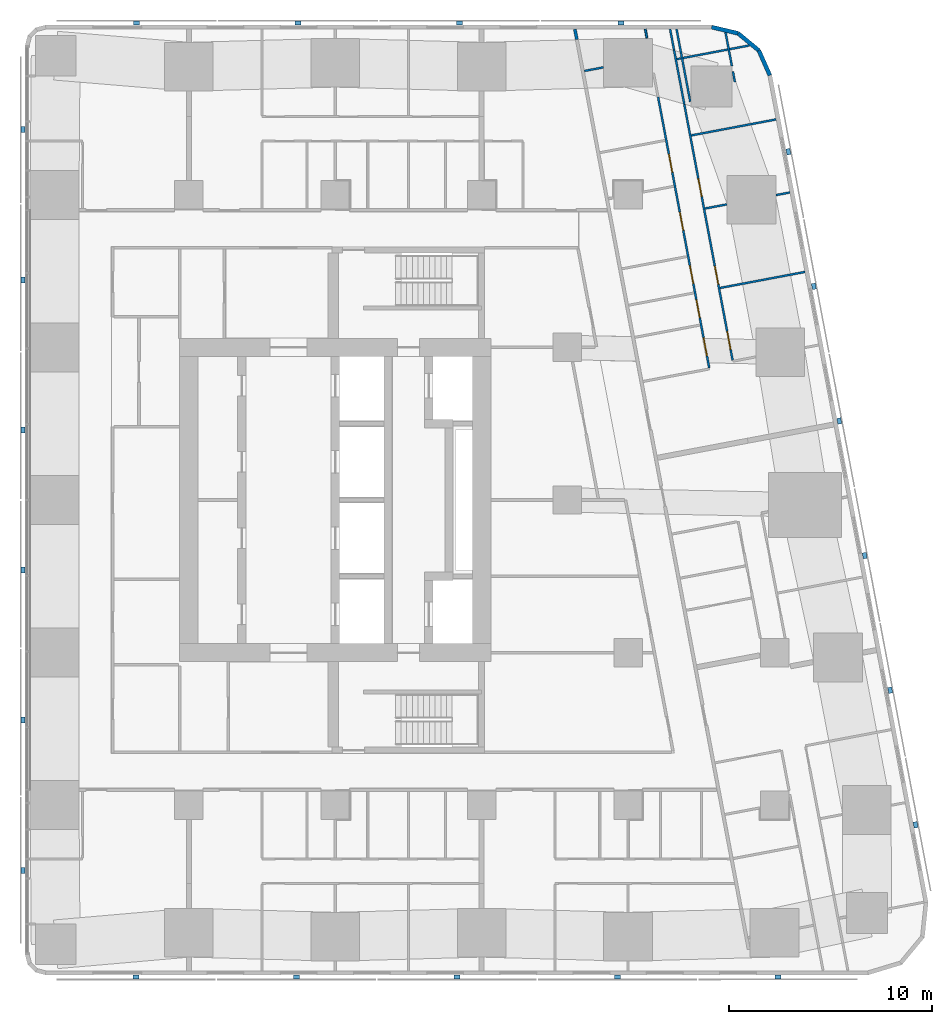
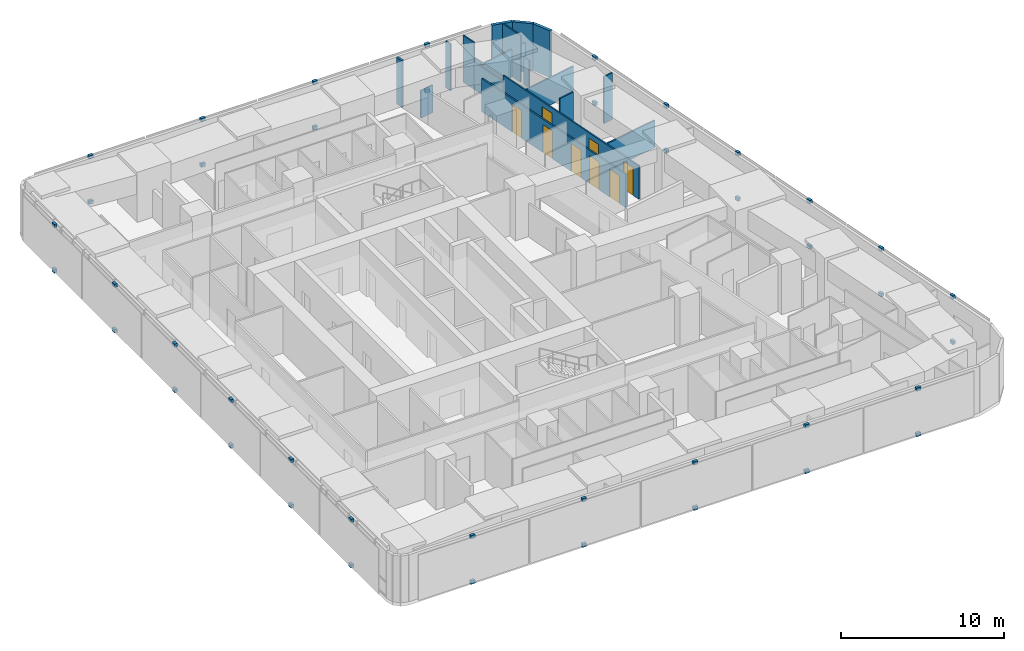
# One storey, part 17 of 19: 42 discrete accessories, 18 walls, 8 doors, 8 openings.
"""IFC4 building model written with IfcOpenShell, lengths in metres."""

from ifc_helpers import new_model, si_unit, direction, frame, frame_2d, origin, origin_2d, place, context, subcontext, project, spatial, rectangle, extrude, material, layer, layer_set, type_object, element, fill, save


model = new_model("IFC4")

# Units and contexts
model_context = context("Model", 3, precision=1e-05, world=origin(), true_north=direction((0.0, 1.0)))
body_context = subcontext(model_context, "Body", "Model", "MODEL_VIEW")
ifc_project = project(units=[si_unit("LENGTHUNIT", "METRE"), si_unit("AREAUNIT", "SQUARE_METRE"), si_unit("VOLUMEUNIT", "CUBIC_METRE"), si_unit("PLANEANGLEUNIT", "RADIAN"), si_unit("MASSUNIT", "GRAM", prefix="KILO")], contexts=[model_context])

# Site, building, storey
site_placement = place(None, origin())
site = spatial("IfcSite", under=ifc_project, at=site_placement, CompositionType="ELEMENT")
building_placement = place(site_placement, origin())
building = spatial("IfcBuilding", under=site, at=building_placement, Name="Sheger Commons Tower", CompositionType="ELEMENT")
storey_placement = place(building_placement, frame((0.0, 0.0, 201.199951171875)))
storey = spatial("IfcBuildingStorey", under=building, at=storey_placement, Name="L51", CompositionType="ELEMENT", Elevation=201.199951171875)

# Walls
ifc_material_1 = material(Name="Hollow concrete block masonry, skimmed both sides", Category="masonry")
ifc_layer_1 = layer(ifc_material_1, 0.14990234375)
ifc_layer_set_1 = layer_set([ifc_layer_1], Name="CORRIDOR WALL 150")
wall_type_1 = type_object("IfcWallType", Name="CORRIDOR WALL 150", PredefinedType="SOLIDWALL", material=ifc_layer_set_1)
wall_1_placement = place(storey_placement, frame((33.382080078125, 45.64990234375, 0.0), z_axis=(0.0, 0.0, 1.0), x_axis=(0.185657456326, -0.982614527122, 0.0)))
element("IfcWall", 1, at=wall_1_placement, inside=storey, type_object=wall_type_1, Name="Corridor wall L51", PredefinedType="SOLIDWALL", context=body_context, shape_type="SweptSolid", body=[
    extrude(rectangle(XDim=0.516845703125, YDim=0.14990234375, at=frame_2d((0.25830078125, 0.0))), origin(), (0.0, 0.0, 1.0), 3.5),
])
ifc_material_2 = material(Name="Rendered concrete block masonry, dark grey", Category="masonry")
ifc_layer_2 = layer(ifc_material_2, 0.199951171875)
ifc_layer_set_2 = layer_set([ifc_layer_2], Name="FACADE WALL 200")
wall_type_2 = type_object("IfcWallType", Name="FACADE WALL 200", PredefinedType="SOLIDWALL", material=ifc_layer_set_2)
wall_2_placement = place(storey_placement, frame((42.969970703125, 43.376953125, 0.0), z_axis=(0.0, 0.0, 1.0), x_axis=(-0.406002956633, 0.913871762998, 0.0)))
element("IfcWall", 2, at=wall_2_placement, inside=storey, type_object=wall_type_2, Name="Facade wall L51", PredefinedType="SOLIDWALL", context=body_context, shape_type="SweptSolid", body=[
    extrude(rectangle(XDim=1.33740234375, YDim=0.199951171875, at=frame_2d((0.668701171875, 0.0))), origin(), (0.0, 0.0, 1.0), 3.5),
])
wall_3_placement = place(storey_placement, frame((42.427001953125, 44.59912109375, 0.0), z_axis=(0.0, 0.0, 1.0), x_axis=(-0.770091412544, 0.637933551655, 0.0)))
element("IfcWall", 3, at=wall_3_placement, inside=storey, type_object=wall_type_2, Name="Facade wall L51", PredefinedType="SOLIDWALL", context=body_context, shape_type="SweptSolid", body=[
    extrude(rectangle(XDim=1.324462890625, YDim=0.199951171875, at=frame_2d((0.662109375, 0.0))), origin(), (0.0, 0.0, 1.0), 3.5),
])
wall_4_placement = place(storey_placement, frame((41.406982421875, 45.444091796875, 0.0), z_axis=(0.0, 0.0, 1.0), x_axis=(-0.973453091607, 0.228886606077, 0.0)))
element("IfcWall", 4, at=wall_4_placement, inside=storey, type_object=wall_type_2, Name="Facade wall L51", PredefinedType="SOLIDWALL", context=body_context, shape_type="SweptSolid", body=[
    extrude(rectangle(XDim=1.33642578125, YDim=0.199951171875, at=frame_2d((0.668212890625, 0.0))), origin(), (0.0, 0.0, 1.0), 3.5),
])
ifc_material_3 = material(Name="Gypsum board on steel studs", Category="steel")
ifc_layer_3 = layer(ifc_material_3, 0.10009765625)
ifc_layer_set_3 = layer_set([ifc_layer_3], Name="PARTITION 100")
wall_type_3 = type_object("IfcWallType", Name="PARTITION 100", PredefinedType="PARTITIONING", material=ifc_layer_set_3)
wall_5_placement = place(storey_placement, frame((39.053955078125, 42.0849609375, 0.0), z_axis=(0.0, 0.0, 1.0), x_axis=(-0.185791584218, 0.982589175207, 0.0)))
element("IfcWall", 5, at=wall_5_placement, inside=storey, type_object=wall_type_3, Name="Partition L51", PredefinedType="PARTITIONING", context=body_context, shape_type="SweptSolid", body=[
    extrude(rectangle(XDim=3.628173828125, YDim=0.10009765625, at=frame_2d((1.81396484375, 0.0))), origin(), (0.0, 0.0, 1.0), 2.050048828125),
])
wall_6_placement = place(storey_placement, frame((40.7890625, 45.487060546875, 0.0), z_axis=(0.0, 0.0, 1.0), x_axis=(0.185572395193, -0.982630594955, 0.0)))
element("IfcWall", 6, at=wall_6_placement, inside=storey, type_object=wall_type_3, Name="Partition L51", PredefinedType="PARTITIONING", context=body_context, shape_type="SweptSolid", body=[
    extrude(rectangle(XDim=1.676025390625, YDim=0.10009765625, at=frame_2d((0.837890625, 0.0))), origin(), (0.0, 0.0, 1.0), 3.5),
])
wall_7_placement = place(storey_placement, frame((41.15087890625, 43.569091796875, 0.0), z_axis=(0.0, 0.0, 1.0), x_axis=(0.186563073924, -0.982442985342, 0.0)))
element("IfcWall", 7, at=wall_7_placement, inside=storey, type_object=wall_type_3, Name="Partition L51", PredefinedType="PARTITIONING", context=body_context, shape_type="SweptSolid", body=[
    extrude(rectangle(XDim=0.53125, YDim=0.10009765625, at=frame_2d((0.265625, 0.0))), origin(), (0.0, 0.0, 1.0), 2.050048828125),
])
wall_8_placement = place(storey_placement, frame((38.06298828125, 45.64990234375, 0.0), z_axis=(0.0, 0.0, 1.0), x_axis=(0.185677287841, -0.982610779902, 0.0)))
element("IfcWall", 8, at=wall_8_placement, inside=storey, type_object=wall_type_3, Name="Partition L51", PredefinedType="PARTITIONING", context=body_context, shape_type="SweptSolid", body=[
    extrude(rectangle(XDim=1.0400390625, YDim=0.10009765625, at=frame_2d((0.52001953125, 0.0))), origin(), (0.0, 0.0, 1.0), 3.5),
])
wall_9_placement = place(storey_placement, frame((38.256103515625, 44.6279296875, 0.0), z_axis=(0.0, 0.0, 1.0), x_axis=(0.185700639943, -0.982606366927, 0.0)))
element("IfcWall", 9, at=wall_9_placement, inside=storey, type_object=wall_type_3, Name="Partition L51", PredefinedType="PARTITIONING", context=body_context, shape_type="SweptSolid", body=[
    extrude(rectangle(XDim=2.734619140625, YDim=0.10009765625, at=frame_2d((1.3671875, 0.0))), origin(), (0.0, 0.0, 1.0), 2.050048828125),
])

# Wall, openings, doors
wall_10_placement = place(storey_placement, frame((38.763916015625, 41.94091796875, 0.0), z_axis=(0.0, 0.0, 1.0), x_axis=(0.185512176227, -0.982641965556, 0.0)))
wall_10 = element("IfcWall", 10, at=wall_10_placement, inside=storey, type_object=wall_type_3, Name="Partition L51", PredefinedType="PARTITIONING", context=body_context, shape_type="SweptSolid", body=[
    extrude(rectangle(XDim=12.791748046875, YDim=0.10009765625, at=frame_2d((6.39599609375, 0.0))), origin(), (0.0, 0.0, 1.0), 2.5),
])
opening_1_placement = place(wall_10_placement, frame((11.35009765625, 0.0, 0.0)))
opening_1 = element("IfcOpeningElement", 11, at=opening_1_placement, cuts=wall_10, Name="Opening D2", PredefinedType="OPENING", context=body_context, shape_type="SweptSolid", body=[
    extrude(rectangle(XDim=0.89990234375, YDim=2.10009765625, at=frame_2d((0.449951171875, 1.050048828125))), frame((0.0, 0.06005859375, 0.0), z_axis=(0.0, -1.0, 0.0), x_axis=(1.0, 0.0, 0.0)), (0.0, 0.0, 1.0), 0.1201171875),
])
opening_2_placement = place(wall_10_placement, frame((8.0849609375, 0.0, 0.0)))
opening_2 = element("IfcOpeningElement", 12, at=opening_2_placement, cuts=wall_10, Name="Opening D2", PredefinedType="OPENING", context=body_context, shape_type="SweptSolid", body=[
    extrude(rectangle(XDim=0.89990234375, YDim=2.10009765625, at=frame_2d((0.449951171875, 1.050048828125))), frame((0.0, 0.06005859375, 0.0), z_axis=(0.0, -1.0, 0.0), x_axis=(1.0, 0.0, 0.0)), (0.0, 0.0, 1.0), 0.1201171875),
])
opening_3_placement = place(wall_10_placement, frame((3.699951171875, 0.0, 0.0)))
opening_3 = element("IfcOpeningElement", 13, at=opening_3_placement, cuts=wall_10, Name="Opening D2", PredefinedType="OPENING", context=body_context, shape_type="SweptSolid", body=[
    extrude(rectangle(XDim=0.89990234375, YDim=2.10009765625, at=frame_2d((0.449951171875, 1.050048828125))), frame((0.0, 0.06005859375, 0.0), z_axis=(0.0, -1.0, 0.0), x_axis=(1.0, 0.0, 0.0)), (0.0, 0.0, 1.0), 0.1201171875),
])
ifc_material_4 = material(Name="Timber door set", Category="wood")
door_type = type_object("IfcDoorType", Name="INTERNAL DOOR 900x2100", OperationType="NOTDEFINED", PredefinedType="DOOR", material=ifc_material_4)
door_1_placement = place(opening_1_placement, origin())
door_1 = element("IfcDoor", 14, at=door_1_placement, inside=storey, type_object=door_type, Name="Main bedroom door", OperationType="SINGLE_SWING_RIGHT", OverallHeight=2.10009765625, OverallWidth=0.89990234375, PredefinedType="DOOR", context=body_context, shape_type="SweptSolid", body=[
    extrude(rectangle(XDim=0.89990234375, YDim=2.10009765625, at=frame_2d((0.449951171875, 1.050048828125))), frame((0.0, 0.02490234375, 0.0), z_axis=(0.0, -1.0, 0.0), x_axis=(1.0, 0.0, 0.0)), (0.0, 0.0, 1.0), 0.050048828125),
])
fill(opening_1, door_1)
door_2_placement = place(opening_2_placement, origin())
door_2 = element("IfcDoor", 15, at=door_2_placement, inside=storey, type_object=door_type, Name="Bedroom 2 door", OperationType="SINGLE_SWING_RIGHT", OverallHeight=2.10009765625, OverallWidth=0.89990234375, PredefinedType="DOOR", context=body_context, shape_type="SweptSolid", body=[
    extrude(rectangle(XDim=0.89990234375, YDim=2.10009765625, at=frame_2d((0.449951171875, 1.050048828125))), frame((0.0, 0.02490234375, 0.0), z_axis=(0.0, -1.0, 0.0), x_axis=(1.0, 0.0, 0.0)), (0.0, 0.0, 1.0), 0.050048828125),
])
fill(opening_2, door_2)
door_3_placement = place(opening_3_placement, origin())
door_3 = element("IfcDoor", 16, at=door_3_placement, inside=storey, type_object=door_type, Name="Bedroom 3 door", OperationType="SINGLE_SWING_RIGHT", OverallHeight=2.10009765625, OverallWidth=0.89990234375, PredefinedType="DOOR", context=body_context, shape_type="SweptSolid", body=[
    extrude(rectangle(XDim=0.89990234375, YDim=2.10009765625, at=frame_2d((0.449951171875, 1.050048828125))), frame((0.0, 0.02490234375, 0.0), z_axis=(0.0, -1.0, 0.0), x_axis=(1.0, 0.0, 0.0)), (0.0, 0.0, 1.0), 0.050048828125),
])
fill(opening_3, door_3)

# Wall
wall_11_placement = place(storey_placement, frame((36.842041015625, 45.64990234375, 0.0), z_axis=(0.0, 0.0, 1.0), x_axis=(0.185407859198, -0.982661653748, 0.0)))
element("IfcWall", 17, at=wall_11_placement, inside=storey, type_object=wall_type_3, Name="Partition L51", PredefinedType="PARTITIONING", context=body_context, shape_type="SweptSolid", body=[
    extrude(rectangle(XDim=0.44775390625, YDim=0.10009765625, at=frame_2d((0.223876953125, 0.0))), origin(), (0.0, 0.0, 1.0), 3.5),
])

# Wall, openings, doors
wall_12_placement = place(storey_placement, frame((37.472900390625, 42.30908203125, 0.0), z_axis=(0.0, 0.0, 1.0), x_axis=(0.185570636839, -0.982630927024, 0.0)))
wall_12 = element("IfcWall", 18, at=wall_12_placement, inside=storey, type_object=wall_type_3, Name="Partition L51", PredefinedType="PARTITIONING", context=body_context, shape_type="SweptSolid", body=[
    extrude(rectangle(XDim=13.553466796875, YDim=0.10009765625, at=frame_2d((6.77685546875, 0.0))), origin(), (0.0, 0.0, 1.0), 2.5),
])
opening_4_placement = place(wall_12_placement, frame((12.049072265625, 0.0, 0.0)))
opening_4 = element("IfcOpeningElement", 19, at=opening_4_placement, cuts=wall_12, Name="Opening D2", PredefinedType="OPENING", context=body_context, shape_type="SweptSolid", body=[
    extrude(rectangle(XDim=0.89990234375, YDim=2.10009765625, at=frame_2d((0.449951171875, 1.050048828125))), frame((0.0, 0.06005859375, 0.0), z_axis=(0.0, -1.0, 0.0), x_axis=(1.0, 0.0, 0.0)), (0.0, 0.0, 1.0), 0.1201171875),
])
opening_5_placement = place(wall_12_placement, frame((8.427001953125, 0.0, 0.0)))
opening_5 = element("IfcOpeningElement", 20, at=opening_5_placement, cuts=wall_12, Name="Opening D2", PredefinedType="OPENING", context=body_context, shape_type="SweptSolid", body=[
    extrude(rectangle(XDim=0.89990234375, YDim=2.10009765625, at=frame_2d((0.449951171875, 1.050048828125))), frame((0.0, 0.06005859375, 0.0), z_axis=(0.0, -1.0, 0.0), x_axis=(1.0, 0.0, 0.0)), (0.0, 0.0, 1.0), 0.1201171875),
])
opening_6_placement = place(wall_12_placement, frame((2.85302734375, 0.0, 0.0)))
opening_6 = element("IfcOpeningElement", 21, at=opening_6_placement, cuts=wall_12, Name="Opening D2", PredefinedType="OPENING", context=body_context, shape_type="SweptSolid", body=[
    extrude(rectangle(XDim=0.89990234375, YDim=2.10009765625, at=frame_2d((0.449951171875, 1.050048828125))), frame((0.0, 0.06005859375, 0.0), z_axis=(0.0, -1.0, 0.0), x_axis=(1.0, 0.0, 0.0)), (0.0, 0.0, 1.0), 0.1201171875),
])
opening_7_placement = place(wall_12_placement, frame((10.139892578125, 0.0, 0.0)))
opening_7 = element("IfcOpeningElement", 22, at=opening_7_placement, cuts=wall_12, Name="Opening D2", PredefinedType="OPENING", context=body_context, shape_type="SweptSolid", body=[
    extrude(rectangle(XDim=0.89990234375, YDim=2.10009765625, at=frame_2d((0.449951171875, 1.050048828125))), frame((0.0, 0.06005859375, 0.0), z_axis=(0.0, -1.0, 0.0), x_axis=(1.0, 0.0, 0.0)), (0.0, 0.0, 1.0), 0.1201171875),
])
opening_8_placement = place(wall_12_placement, frame((5.759033203125, 0.0, 0.0)))
opening_8 = element("IfcOpeningElement", 23, at=opening_8_placement, cuts=wall_12, Name="Opening D2", PredefinedType="OPENING", context=body_context, shape_type="SweptSolid", body=[
    extrude(rectangle(XDim=0.89990234375, YDim=2.10009765625, at=frame_2d((0.449951171875, 1.050048828125))), frame((0.0, 0.06005859375, 0.0), z_axis=(0.0, -1.0, 0.0), x_axis=(1.0, 0.0, 0.0)), (0.0, 0.0, 1.0), 0.1201171875),
])
door_4_placement = place(opening_4_placement, origin())
door_4 = element("IfcDoor", 24, at=door_4_placement, inside=storey, type_object=door_type, Name="Bathroom door", OperationType="SINGLE_SWING_LEFT", OverallHeight=2.10009765625, OverallWidth=0.89990234375, PredefinedType="DOOR", context=body_context, shape_type="SweptSolid", body=[
    extrude(rectangle(XDim=0.89990234375, YDim=2.10009765625, at=frame_2d((0.449951171875, 1.050048828125))), frame((0.0, 0.02490234375, 0.0), z_axis=(0.0, -1.0, 0.0), x_axis=(1.0, 0.0, 0.0)), (0.0, 0.0, 1.0), 0.050048828125),
])
fill(opening_4, door_4)
door_5_placement = place(opening_5_placement, origin())
door_5 = element("IfcDoor", 25, at=door_5_placement, inside=storey, type_object=door_type, Name="Laundry room door", OperationType="SINGLE_SWING_LEFT", OverallHeight=2.10009765625, OverallWidth=0.89990234375, PredefinedType="DOOR", context=body_context, shape_type="SweptSolid", body=[
    extrude(rectangle(XDim=0.89990234375, YDim=2.10009765625, at=frame_2d((0.449951171875, 1.050048828125))), frame((0.0, 0.02490234375, 0.0), z_axis=(0.0, -1.0, 0.0), x_axis=(1.0, 0.0, 0.0)), (0.0, 0.0, 1.0), 0.050048828125),
])
fill(opening_5, door_5)
door_6_placement = place(opening_6_placement, origin())
door_6 = element("IfcDoor", 26, at=door_6_placement, inside=storey, type_object=door_type, Name="Laundry room door", OperationType="SINGLE_SWING_LEFT", OverallHeight=2.10009765625, OverallWidth=0.89990234375, PredefinedType="DOOR", context=body_context, shape_type="SweptSolid", body=[
    extrude(rectangle(XDim=0.89990234375, YDim=2.10009765625, at=frame_2d((0.449951171875, 1.050048828125))), frame((0.0, 0.02490234375, 0.0), z_axis=(0.0, -1.0, 0.0), x_axis=(1.0, 0.0, 0.0)), (0.0, 0.0, 1.0), 0.050048828125),
])
fill(opening_6, door_6)
door_7_placement = place(opening_7_placement, origin())
door_7 = element("IfcDoor", 27, at=door_7_placement, inside=storey, type_object=door_type, Name="Store door", OperationType="SINGLE_SWING_RIGHT", OverallHeight=2.10009765625, OverallWidth=0.89990234375, PredefinedType="DOOR", context=body_context, shape_type="SweptSolid", body=[
    extrude(rectangle(XDim=0.89990234375, YDim=2.10009765625, at=frame_2d((0.449951171875, 1.050048828125))), frame((0.0, 0.02490234375, 0.0), z_axis=(0.0, -1.0, 0.0), x_axis=(1.0, 0.0, 0.0)), (0.0, 0.0, 1.0), 0.050048828125),
])
fill(opening_7, door_7)
door_8_placement = place(opening_8_placement, origin())
door_8 = element("IfcDoor", 28, at=door_8_placement, inside=storey, type_object=door_type, Name="Store door", OperationType="SINGLE_SWING_RIGHT", OverallHeight=2.10009765625, OverallWidth=0.89990234375, PredefinedType="DOOR", context=body_context, shape_type="SweptSolid", body=[
    extrude(rectangle(XDim=0.89990234375, YDim=2.10009765625, at=frame_2d((0.449951171875, 1.050048828125))), frame((0.0, 0.02490234375, 0.0), z_axis=(0.0, -1.0, 0.0), x_axis=(1.0, 0.0, 0.0)), (0.0, 0.0, 1.0), 0.050048828125),
])
fill(opening_8, door_8)

# Walls
wall_13_placement = place(storey_placement, frame((41.968017578125, 44.85009765625, 0.0), z_axis=(0.0, 0.0, 1.0), x_axis=(-0.98258614234, -0.185807623311, 0.0)))
element("IfcWall", 29, at=wall_13_placement, inside=storey, type_object=wall_type_3, Name="Partition L51", PredefinedType="PARTITIONING", context=body_context, shape_type="SweptSolid", body=[
    extrude(rectangle(XDim=3.638427734375, YDim=0.10009765625, at=frame_2d((1.8193359375, 0.0))), origin(), (0.0, 0.0, 1.0), 2.050048828125),
])
wall_14_placement = place(storey_placement, frame((43.277099609375, 41.2119140625, 0.0), z_axis=(0.0, 0.0, 1.0), x_axis=(-0.982665405803, -0.185387972203, 0.0)))
element("IfcWall", 30, at=wall_14_placement, inside=storey, type_object=wall_type_3, Name="Partition L51", PredefinedType="PARTITIONING", context=body_context, shape_type="SweptSolid", body=[
    extrude(rectangle(XDim=4.249755859375, YDim=0.10009765625, at=frame_2d((2.125, 0.0))), origin(), (0.0, 0.0, 1.0), 2.050048828125),
])
wall_15_placement = place(storey_placement, frame((43.955078125, 37.6201171875, 0.0), z_axis=(0.0, 0.0, 1.0), x_axis=(-0.982495415327, -0.186286765128, 0.0)))
element("IfcWall", 31, at=wall_15_placement, inside=storey, type_object=wall_type_3, Name="Partition L51", PredefinedType="PARTITIONING", context=body_context, shape_type="SweptSolid", body=[
    extrude(rectangle(XDim=0.693359375, YDim=0.10009765625, at=frame_2d((0.3466796875, 0.0))), origin(), (0.0, 0.0, 1.0), 3.5),
])
wall_16_placement = place(storey_placement, frame((40.85400390625, 37.033935546875, 0.0), z_axis=(0.0, 0.0, 1.0), x_axis=(-0.982651678759, -0.185460718839, 0.0)))
element("IfcWall", 32, at=wall_16_placement, inside=storey, type_object=wall_type_3, Name="Partition L51", PredefinedType="PARTITIONING", context=body_context, shape_type="SweptSolid", body=[
    extrude(rectangle(XDim=1.093994140625, YDim=0.10009765625, at=frame_2d((0.546875, 0.0))), origin(), (0.0, 0.0, 1.0), 3.5),
])
wall_17_placement = place(storey_placement, frame((44.693115234375, 33.712890625, 0.0), z_axis=(0.0, 0.0, 1.0), x_axis=(-0.982623519589, -0.185609856287, 0.0)))
element("IfcWall", 33, at=wall_17_placement, inside=storey, type_object=wall_type_3, Name="Partition L51", PredefinedType="PARTITIONING", context=body_context, shape_type="SweptSolid", body=[
    extrude(rectangle(XDim=4.249755859375, YDim=0.10009765625, at=frame_2d((2.125, 0.0))), origin(), (0.0, 0.0, 1.0), 2.050048828125),
])
wall_18_placement = place(storey_placement, frame((34.7900390625, 43.77197265625, 0.0), z_axis=(0.0, 0.0, 1.0), x_axis=(-0.982655532093, -0.185440301034, 0.0)))
element("IfcWall", 34, at=wall_18_placement, inside=storey, type_object=wall_type_3, Name="Partition L51", PredefinedType="PARTITIONING", context=body_context, shape_type="SweptSolid", body=[
    extrude(rectangle(XDim=0.959716796875, YDim=0.10009765625, at=frame_2d((0.47998046875, 0.0))), origin(), (0.0, 0.0, 1.0), 2.050048828125),
])

# Discrete accessories
ifc_material_5 = material(Name="Black painted steel bracket", Category="steel")
discrete_accessory_type = type_object("IfcDiscreteAccessoryType", Name="SCREEN BRACKET 300x200x250", PredefinedType="BRACKET", material=ifc_material_5)
for number, where, z_axis, x_axis, name in (
    (35, (11.7958984375, -0.949951171875, -0.099853515625), (0.0, 0.0, 1.0), (1.0, 0.0, 0.0), "Solar screen foot bracket"),
    (36, (11.7958984375, -0.949951171875, 3.300048828125), (0.0, 0.0, 1.0), (1.0, 0.0, 0.0), "Solar screen head bracket"),
    (37, (19.68701171875, -0.949951171875, -0.099853515625), (0.0, 0.0, 1.0), (1.0, 0.0, 0.0), "Solar screen foot bracket"),
    (38, (19.68701171875, -0.949951171875, 3.300048828125), (0.0, 0.0, 1.0), (1.0, 0.0, 0.0), "Solar screen head bracket"),
    (39, (27.577880859375, -0.949951171875, -0.099853515625), (0.0, 0.0, 1.0), (1.0, 0.0, 0.0), "Solar screen foot bracket"),
    (40, (27.577880859375, -0.949951171875, 3.300048828125), (0.0, 0.0, 1.0), (1.0, 0.0, 0.0), "Solar screen head bracket"),
    (41, (35.468994140625, -0.949951171875, -0.099853515625), (0.0, 0.0, 1.0), (1.0, 0.0, 0.0), "Solar screen foot bracket"),
    (42, (35.468994140625, -0.949951171875, 3.300048828125), (0.0, 0.0, 1.0), (1.0, 0.0, 0.0), "Solar screen head bracket"),
    (43, (43.360107421875, -0.949951171875, -0.099853515625), (0.0, 0.0, 1.0), (1.0, 0.0, 0.0), "Solar screen foot bracket"),
    (44, (43.360107421875, -0.949951171875, 3.300048828125), (0.0, 0.0, 1.0), (1.0, 0.0, 0.0), "Solar screen head bracket"),
    (45, (50.134033203125, 6.527099609375, -0.099853515625), (0.0, 0.0, 1.0), (-0.185615165645, 0.982622516678, 0.0), "Solar screen foot bracket"),
    (46, (50.134033203125, 6.527099609375, 3.300048828125), (0.0, 0.0, 1.0), (-0.185615165645, 0.982622516678, 0.0), "Solar screen head bracket"),
    (47, (48.884033203125, 13.14599609375, -0.099853515625), (0.0, 0.0, 1.0), (-0.185615165645, 0.982622516678, 0.0), "Solar screen foot bracket"),
    (48, (48.884033203125, 13.14599609375, 3.300048828125), (0.0, 0.0, 1.0), (-0.185615165645, 0.982622516678, 0.0), "Solar screen head bracket"),
    (49, (47.633056640625, 19.76611328125, -0.099853515625), (0.0, 0.0, 1.0), (-0.185615165645, 0.982622516678, 0.0), "Solar screen foot bracket"),
    (50, (47.633056640625, 19.76611328125, 3.300048828125), (0.0, 0.0, 1.0), (-0.185615165645, 0.982622516678, 0.0), "Solar screen head bracket"),
    (51, (46.383056640625, 26.385009765625, -0.099853515625), (0.0, 0.0, 1.0), (-0.185615165645, 0.982622516678, 0.0), "Solar screen foot bracket"),
    (52, (46.383056640625, 26.385009765625, 3.300048828125), (0.0, 0.0, 1.0), (-0.185615165645, 0.982622516678, 0.0), "Solar screen head bracket"),
    (53, (45.133056640625, 33.0048828125, -0.099853515625), (0.0, 0.0, 1.0), (-0.185615165645, 0.982622516678, 0.0), "Solar screen foot bracket"),
    (54, (45.133056640625, 33.0048828125, 3.300048828125), (0.0, 0.0, 1.0), (-0.185615165645, 0.982622516678, 0.0), "Solar screen head bracket"),
    (55, (43.882080078125, 39.6240234375, -0.099853515625), (0.0, 0.0, 1.0), (-0.185615165645, 0.982622516678, 0.0), "Solar screen foot bracket"),
    (56, (43.882080078125, 39.6240234375, 3.300048828125), (0.0, 0.0, 1.0), (-0.185615165645, 0.982622516678, 0.0), "Solar screen head bracket"),
    (57, (35.64697265625, 45.949951171875, -0.099853515625), (0.0, 0.0, 1.0), (-1.0, 0.0, 0.0), "Solar screen foot bracket"),
    (58, (35.64697265625, 45.949951171875, 3.300048828125), (0.0, 0.0, 1.0), (-1.0, 0.0, 0.0), "Solar screen head bracket"),
    (59, (27.705078125, 45.949951171875, -0.099853515625), (0.0, 0.0, 1.0), (-1.0, 0.0, 0.0), "Solar screen foot bracket"),
    (60, (27.705078125, 45.949951171875, 3.300048828125), (0.0, 0.0, 1.0), (-1.0, 0.0, 0.0), "Solar screen head bracket"),
    (61, (19.762939453125, 45.949951171875, -0.099853515625), (0.0, 0.0, 1.0), (-1.0, 0.0, 0.0), "Solar screen foot bracket"),
    (62, (19.762939453125, 45.949951171875, 3.300048828125), (0.0, 0.0, 1.0), (-1.0, 0.0, 0.0), "Solar screen head bracket"),
    (63, (11.821044921875, 45.949951171875, -0.099853515625), (0.0, 0.0, 1.0), (-1.0, 0.0, 0.0), "Solar screen foot bracket"),
    (64, (11.821044921875, 45.949951171875, 3.300048828125), (0.0, 0.0, 1.0), (-1.0, 0.0, 0.0), "Solar screen head bracket"),
    (65, (6.25, 40.7080078125, -0.099853515625), (0.0, 0.0, 1.0), (0.0, -1.0, 0.0), "Solar screen foot bracket"),
    (66, (6.25, 40.7080078125, 3.300048828125), (0.0, 0.0, 1.0), (0.0, -1.0, 0.0), "Solar screen head bracket"),
    (67, (6.25, 33.324951171875, -0.099853515625), (0.0, 0.0, 1.0), (0.0, -1.0, 0.0), "Solar screen foot bracket"),
    (68, (6.25, 33.324951171875, 3.300048828125), (0.0, 0.0, 1.0), (0.0, -1.0, 0.0), "Solar screen head bracket"),
    (69, (6.25, 25.94189453125, -0.099853515625), (0.0, 0.0, 1.0), (0.0, -1.0, 0.0), "Solar screen foot bracket"),
    (70, (6.25, 25.94189453125, 3.300048828125), (0.0, 0.0, 1.0), (0.0, -1.0, 0.0), "Solar screen head bracket"),
    (71, (6.25, 19.05810546875, -0.099853515625), (0.0, 0.0, 1.0), (0.0, -1.0, 0.0), "Solar screen foot bracket"),
    (72, (6.25, 19.05810546875, 3.300048828125), (0.0, 0.0, 1.0), (0.0, -1.0, 0.0), "Solar screen head bracket"),
    (73, (6.25, 11.675048828125, -0.099853515625), (0.0, 0.0, 1.0), (0.0, -1.0, 0.0), "Solar screen foot bracket"),
    (74, (6.25, 11.675048828125, 3.300048828125), (0.0, 0.0, 1.0), (0.0, -1.0, 0.0), "Solar screen head bracket"),
    (75, (6.25, 4.2919921875, -0.099853515625), (0.0, 0.0, 1.0), (0.0, -1.0, 0.0), "Solar screen foot bracket"),
    (76, (6.25, 4.2919921875, 3.300048828125), (0.0, 0.0, 1.0), (0.0, -1.0, 0.0), "Solar screen head bracket"),
):
    element("IfcDiscreteAccessory", number, at=place(storey_placement, frame(where, z_axis=z_axis, x_axis=x_axis)), inside=storey, type_object=discrete_accessory_type, Name=name, PredefinedType="BRACKET", context=body_context, shape_type="SweptSolid", body=[
        extrude(rectangle(XDim=0.300048828125, YDim=0.199951171875, at=origin_2d()), origin(), (0.0, 0.0, 1.0), 0.25),
    ])

save(model, "model.ifc")
